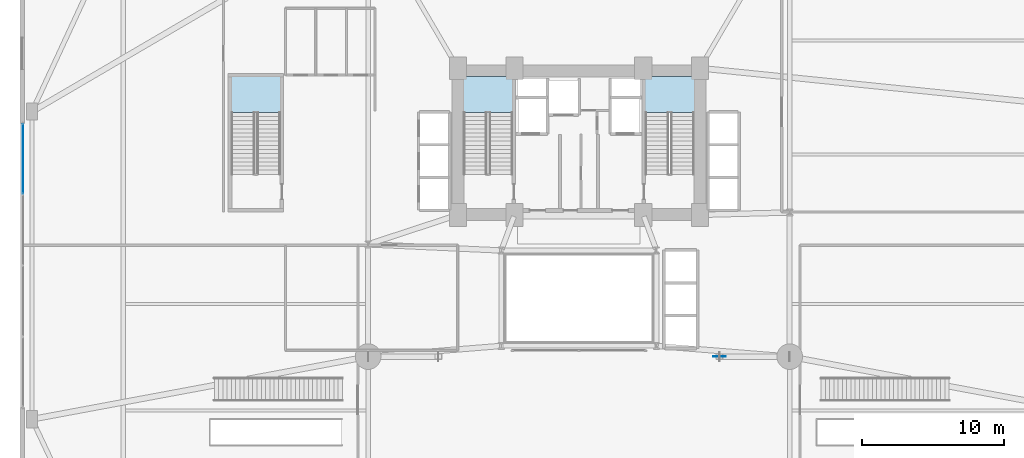
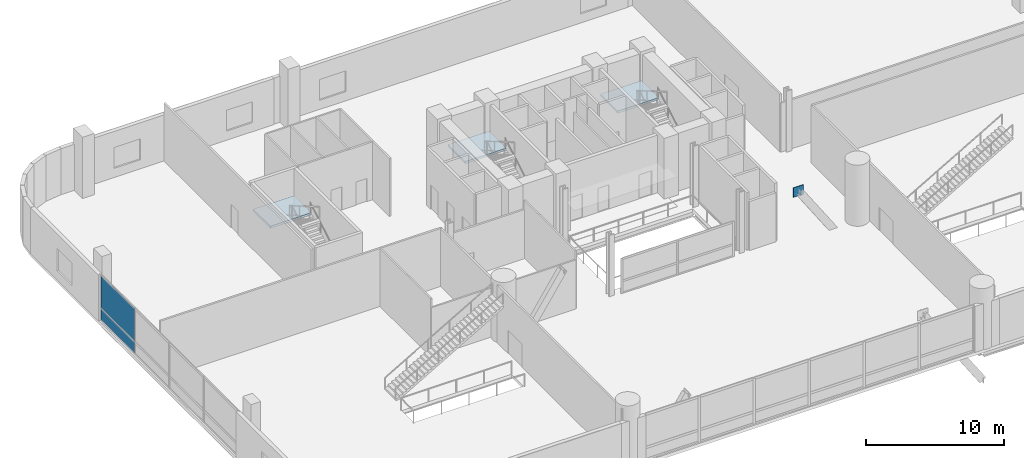
# One storey, part 27 of 40: 3 plates, 3 slabs, 4 elements without a shape of their own.
"""IFC4 building model written with IfcOpenShell, lengths in metres."""

import ifcopenshell
import ifcopenshell.guid

model = None  # the IFC model being written
_history = None  # IfcOwnerHistory: only IFC2X3 demands one
_inside = {}  # id of a spatial element -> (the spatial element, [elements in it])
_under = {}  # id of a project, library or spatial element -> (it, [spatial elements below it])
_declared = {}  # id of a project -> (the project, [libraries it declares])
_typed = {}  # id of a type object -> (the type object, [elements of that type])
_made_of = {}  # id of a material, layer set ... -> (it, [elements and type objects made of it])


def new_model(schema):
    """Start an empty IFC model of exactly this schema.

    Asked for "IFC4X3", IfcOpenShell would pick the latest addendum, in which some entities
    have other attributes; the version numbers below select the first issue.
    IFC2X3 requires an IfcOwnerHistory on every rooted entity: one is made here for all.
    """
    global model, _history
    if schema == "IFC4X3":
        model = ifcopenshell.file(schema_version=(4, 3, 0, 0))
    else:
        model = ifcopenshell.file(schema=schema)
    _inside.clear()
    _under.clear()
    _declared.clear()
    _typed.clear()
    _made_of.clear()
    _history = None
    if model.schema == "IFC2X3":
        org = make("IfcOrganization", Name="unknown")
        user = make(
            "IfcPersonAndOrganization",
            ThePerson=make("IfcPerson", FamilyName="unknown"),
            TheOrganization=org,
        )
        app = make(
            "IfcApplication",
            ApplicationDeveloper=org,
            Version="unknown",
            ApplicationFullName="unknown",
            ApplicationIdentifier="unknown",
        )
        _history = make(
            "IfcOwnerHistory",
            OwningUser=user,
            OwningApplication=app,
            ChangeAction="ADDED",
            CreationDate=0,
        )
    return model


def make(cls, **values):
    """One entity of the class cls with the attributes given. An attribute that is None is left unset."""
    return model.create_entity(
        cls, **{name: value for name, value in values.items() if value is not None}
    )


def rooted(cls, **values):
    """An entity with a GlobalId (a new one), such as an element, a storey or a relation."""
    return make(cls, GlobalId=ifcopenshell.guid.new(), OwnerHistory=_history, **values)


def si_unit(unit_type, name, prefix=None):
    """IfcSIUnit, for example si_unit("LENGTHUNIT", "METRE", prefix="MILLI")."""
    return make("IfcSIUnit", UnitType=unit_type, Prefix=prefix, Name=name)


def assignment(units):
    """IfcUnitAssignment: the units of a project."""
    return None if units is None else make("IfcUnitAssignment", Units=units)


def point(xyz):
    """IfcCartesianPoint."""
    return None if xyz is None else make("IfcCartesianPoint", Coordinates=xyz)


def direction(xyz):
    """IfcDirection."""
    return None if xyz is None else make("IfcDirection", DirectionRatios=xyz)


def frame(location, z_axis=None, x_axis=None):
    """IfcAxis2Placement3D, a coordinate frame: its origin and axes. An axis left out is left unset."""
    return make(
        "IfcAxis2Placement3D",
        Location=point(location),
        Axis=direction(z_axis),
        RefDirection=direction(x_axis),
    )


def frame_2d(location, x_axis=None):
    """IfcAxis2Placement2D, a coordinate frame in the plane: its origin and x axis."""
    return make(
        "IfcAxis2Placement2D", Location=point(location), RefDirection=direction(x_axis)
    )


def origin():
    """The frame at (0, 0, 0) with its axes left unset."""
    return frame((0.0, 0.0, 0.0))


def origin_2d():
    """The frame at (0, 0) in the plane with its x axis left unset."""
    return frame_2d((0.0, 0.0))


def place(relative_to, where):
    """IfcLocalPlacement: puts the frame where relative to a parent placement (None: the world)."""
    return make(
        "IfcLocalPlacement", PlacementRelTo=relative_to, RelativePlacement=where
    )


def context(
    kind, dimensions, precision=None, world=None, true_north=None, identifier=None
):
    """IfcGeometricRepresentationContext, for example the 3D "Model" context."""
    return make(
        "IfcGeometricRepresentationContext",
        ContextIdentifier=identifier,
        ContextType=kind,
        CoordinateSpaceDimension=dimensions,
        Precision=precision,
        WorldCoordinateSystem=world,
        TrueNorth=true_north,
    )


def subcontext(parent, identifier, kind, view, scale=None):
    """IfcGeometricRepresentationSubContext, for example "Body" below "Model"."""
    return make(
        "IfcGeometricRepresentationSubContext",
        ContextIdentifier=identifier,
        ContextType=kind,
        ParentContext=parent,
        TargetScale=scale,
        TargetView=view,
    )


def project(units=None, contexts=None):
    """IfcProject with its units and contexts."""
    return rooted(
        "IfcProject",
        Name="project",
        RepresentationContexts=contexts,
        UnitsInContext=assignment(units),
    )


def spatial(cls, under=None, at=None, **own):
    """A site, building, storey or space (cls), placed at a placement, below another one or the project."""
    s = rooted(cls, ObjectPlacement=at, **own)
    if under is not None:
        _under.setdefault(under.id(), (under, []))[1].append(s)
    return s


def polyline(points):
    """IfcPolyline through the points."""
    return make("IfcPolyline", Points=[point(p) for p in points])


def profile(cls, at=None, kind="AREA", **sizes):
    """A parametric profile (cls). Its sizes go by their IFC names, for example OverallWidth=200.0."""
    return make(cls, ProfileType=kind, Position=at, **sizes)


def rectangle(**sizes):
    """IfcRectangleProfileDef."""
    return profile("IfcRectangleProfileDef", **sizes)


def outline(outer, holes=None, kind="AREA"):
    """IfcArbitraryClosedProfileDef: a profile drawn as a closed curve; with holes, ...WithVoids."""
    if holes is None:
        return make("IfcArbitraryClosedProfileDef", ProfileType=kind, OuterCurve=outer)
    return make(
        "IfcArbitraryProfileDefWithVoids",
        ProfileType=kind,
        OuterCurve=outer,
        InnerCurves=holes,
    )


def extrude(swept, where, along, depth):
    """IfcExtrudedAreaSolid: the profile swept, set in the frame where, extruded along a direction by depth."""
    return make(
        "IfcExtrudedAreaSolid",
        SweptArea=swept,
        Position=where,
        ExtrudedDirection=direction(along),
        Depth=depth,
    )


def shape(context_of_items, identifier, shape_type, items):
    """IfcShapeRepresentation: the items that make up one representation, for example the "Body"."""
    return make(
        "IfcShapeRepresentation",
        ContextOfItems=context_of_items,
        RepresentationIdentifier=identifier,
        RepresentationType=shape_type,
        Items=items,
    )


def source(mapping_origin, context_of_items, identifier, shape_type, items):
    """IfcRepresentationMap: a shape defined once, which mapped items show again and again."""
    return make(
        "IfcRepresentationMap",
        MappingOrigin=mapping_origin,
        MappedRepresentation=shape(context_of_items, identifier, shape_type, items),
    )


def transform(
    local_origin,
    x_axis=None,
    y_axis=None,
    z_axis=None,
    scale=None,
    scale2=None,
    scale3=None,
    uniform=True,
):
    """IfcCartesianTransformationOperator3D, or its non-uniform kind. x_axis, y_axis, z_axis: its Axis1, 2, 3."""
    if uniform:
        return make(
            "IfcCartesianTransformationOperator3D",
            Axis1=direction(x_axis),
            Axis2=direction(y_axis),
            LocalOrigin=point(local_origin),
            Scale=scale,
            Axis3=direction(z_axis),
        )
    return make(
        "IfcCartesianTransformationOperator3DnonUniform",
        Axis1=direction(x_axis),
        Axis2=direction(y_axis),
        LocalOrigin=point(local_origin),
        Scale=scale,
        Axis3=direction(z_axis),
        Scale2=scale2,
        Scale3=scale3,
    )


def mapped(mapping_source, mapping_target):
    """IfcMappedItem: shows the shape of a source again, moved by a transform."""
    return make(
        "IfcMappedItem", MappingSource=mapping_source, MappingTarget=mapping_target
    )


def material(Name=None, Category=None):
    """IfcMaterial."""
    return make("IfcMaterial", Name=Name, Category=Category)


def layer(
    of_material, thickness, ventilated=None, Name=None, Category=None, Priority=None
):
    """IfcMaterialLayer: one layer of a wall or slab, of a material (None: an air gap)."""
    return make(
        "IfcMaterialLayer",
        Material=of_material,
        LayerThickness=thickness,
        IsVentilated=ventilated,
        Name=Name,
        Category=Category,
        Priority=Priority,
    )


def layer_set(layers, Name=None):
    """IfcMaterialLayerSet."""
    return make("IfcMaterialLayerSet", MaterialLayers=layers, LayerSetName=Name)


def made_of(thing, what):
    """Note that an element or type object is made of a material, layer set ...; save() writes the relation."""
    if what is not None:
        _made_of.setdefault(what.id(), (what, []))[1].append(thing)
    return thing


def type_object(cls, material=None, **own):
    """A type object (cls), such as IfcWallType, which elements share."""
    return made_of(rooted(cls, **own), material)


def element(
    cls,
    number,
    at=None,
    inside=None,
    cuts=None,
    type_object=None,
    material=None,
    context=None,
    identifier="Body",
    shape_type=None,
    held_by="IfcProductDefinitionShape",
    body=None,
    shapes=None,
    **own,
):
    """One element of the class cls, such as IfcWall. Its Tag is "e" and its number.

    at: its placement. inside: the storey or other place that contains it. cuts: it is an
    opening in that element (IfcRelVoidsElement). A single representation is given by context,
    identifier, shape_type and body (its items); several are given by shapes. held_by: the class
    of the entity that holds the representations. save() writes the other relations.
    """
    e = rooted(cls, Tag="e%d" % number, ObjectPlacement=at, **own)
    if body is not None:
        shapes = [shape(context, identifier, shape_type, body)]
    if shapes is not None:
        e.Representation = make(held_by, Representations=shapes)
    if inside is not None:
        _inside.setdefault(inside.id(), (inside, []))[1].append(e)
    if cuts is not None:
        rooted(
            "IfcRelVoidsElement", RelatingBuildingElement=cuts, RelatedOpeningElement=e
        )
    if type_object is not None:
        _typed.setdefault(type_object.id(), (type_object, []))[1].append(e)
    return made_of(e, material)


def aggregate(whole, parts):
    """IfcRelAggregates: a whole, such as a stair, and the parts it consists of."""
    return rooted("IfcRelAggregates", RelatingObject=whole, RelatedObjects=parts)


def save(model, path):
    """Write the relations noted so far, then the file.

    IfcRelAggregates (storeys below a building ...), IfcRelContainedInSpatialStructure (elements
    in a storey), IfcRelDefinesByType, IfcRelAssociatesMaterial and IfcRelDeclares: one each for
    every whole, place, type object, material and project.
    """
    for whole, parts in _under.values():
        aggregate(whole, parts)
    for where, things in _inside.values():
        rooted(
            "IfcRelContainedInSpatialStructure",
            RelatedElements=things,
            RelatingStructure=where,
        )
    for kind, things in _typed.values():
        rooted("IfcRelDefinesByType", RelatedObjects=things, RelatingType=kind)
    for what, things in _made_of.values():
        rooted("IfcRelAssociatesMaterial", RelatedObjects=things, RelatingMaterial=what)
    for by, libraries in _declared.values():
        rooted("IfcRelDeclares", RelatingContext=by, RelatedDefinitions=libraries)
    model.write(path)


model = new_model("IFC4")

# Units and contexts
model_context = context("Model", 3, precision=1e-05, world=origin(), true_north=direction((0.0, 1.0)))
body_context = subcontext(model_context, "Body", "Model", "MODEL_VIEW")
ifc_project = project(units=[si_unit("LENGTHUNIT", "METRE"), si_unit("AREAUNIT", "SQUARE_METRE"), si_unit("VOLUMEUNIT", "CUBIC_METRE"), si_unit("PLANEANGLEUNIT", "RADIAN"), si_unit("MASSUNIT", "GRAM", prefix="KILO")], contexts=[model_context])

# Site, building, storey
site_placement = place(None, origin())
site = spatial("IfcSite", under=ifc_project, at=site_placement, CompositionType="ELEMENT")
building_placement = place(site_placement, origin())
building = spatial("IfcBuilding", under=site, at=building_placement, Name="Varnelok Gate Tower", CompositionType="ELEMENT")
storey_placement = place(building_placement, frame((0.0, 0.0, 5.39990234375)))
storey = spatial("IfcBuildingStorey", under=building, at=storey_placement, Name="L01", CompositionType="ELEMENT", Elevation=5.39990234375)

# Stair, slab
ifc_material_1 = material(Name="Concrete C50/60", Category="concrete")
stair_type = type_object("IfcStairType", Name="STR-CORE-1650", PredefinedType="HALF_TURN_STAIR", material=ifc_material_1)
stair_1_placement = place(storey_placement, origin())
stair_1 = element("IfcStair", 1, at=stair_1_placement, inside=storey, type_object=stair_type, Name="L01 Exit Stair ST-1", PredefinedType="HALF_TURN_STAIR")
ifc_material_2 = material(Name="Concrete C45/55", Category="concrete")
ifc_layer_1 = layer(ifc_material_2, 0.199951171875)
ifc_layer_set_1 = layer_set([ifc_layer_1], Name="Concrete C45/55")
slab_type = type_object("IfcSlabType", Name="SLB-LAND-200", PredefinedType="LANDING", material=ifc_layer_set_1)
slab_1_placement = place(storey_placement, frame((0.0, 0.0, 2.5)))
slab_1 = element("IfcSlab", 2, at=slab_1_placement, type_object=slab_type, Name="ST-1 landing 1", PredefinedType="LANDING", context=body_context, shape_type="SweptSolid", body=[
    extrude(outline(polyline([(34.550048828125, 35.949951171875), (34.550048828125, 38.449951171875), (31.10009765625, 38.449951171875), (31.10009765625, 35.949951171875), (34.550048828125, 35.949951171875)])), origin(), (0.0, 0.0, 1.0), 0.2001953125),
])
aggregate(stair_1, [slab_1])

stair_2_placement = place(storey_placement, origin())
stair_2 = element("IfcStair", 3, at=stair_2_placement, inside=storey, type_object=stair_type, Name="L01 Exit Stair ST-2", PredefinedType="HALF_TURN_STAIR")
slab_2_placement = place(storey_placement, frame((0.0, 0.0, 2.5)))
slab_2 = element("IfcSlab", 4, at=slab_2_placement, type_object=slab_type, Name="ST-2 landing 1", PredefinedType="LANDING", context=body_context, shape_type="SweptSolid", body=[
    extrude(outline(polyline([(47.300048828125, 35.949951171875), (47.300048828125, 38.449951171875), (43.85009765625, 38.449951171875), (43.85009765625, 35.949951171875), (47.300048828125, 35.949951171875)])), origin(), (0.0, 0.0, 1.0), 0.2001953125),
])
aggregate(stair_2, [slab_2])

stair_3_placement = place(storey_placement, origin())
stair_3 = element("IfcStair", 5, at=stair_3_placement, inside=storey, type_object=stair_type, Name="L01 Podium Exit Stair ST-3", PredefinedType="HALF_TURN_STAIR")
slab_3_placement = place(storey_placement, frame((0.0, 0.0, 2.5)))
slab_3 = element("IfcSlab", 6, at=slab_3_placement, type_object=slab_type, Name="ST-3 landing 1", PredefinedType="LANDING", context=body_context, shape_type="SweptSolid", body=[
    extrude(outline(polyline([(18.25, 35.949951171875), (18.25, 38.449951171875), (14.800048828125, 38.449951171875), (14.800048828125, 35.949951171875), (18.25, 35.949951171875)])), origin(), (0.0, 0.0, 1.0), 0.2001953125),
])
aggregate(stair_3, [slab_3])

# Plate
ifc_material_3 = material(Name="Structural Steel ASTM A572 Grade 50", Category="steel")
ifc_layer_2 = layer(ifc_material_3, 0.0400390625)
ifc_layer_set_2 = layer_set([ifc_layer_2], Name="Structural Steel ASTM A572 Grade 50")
plate_type_1 = type_object("IfcPlateType", Name="PLT-GUSSET-40", PredefinedType="USERDEFINED", material=ifc_layer_set_2)
shared_shape_1 = source(origin(), body_context, "Body", "SweptSolid", [
    extrude(rectangle(XDim=0.85009765625, YDim=0.0400390625, at=origin_2d()), origin(), (0.0, 0.0, 1.0), 0.85009765625),
])
plate_1_placement = place(storey_placement, frame((49.066650390625, 18.800048828125, 3.808349609375), z_axis=(0.0, 0.0, 1.0), x_axis=(1.0, 0.0, 0.0)))
element("IfcPlate", 7, at=plate_1_placement, inside=storey, type_object=plate_type_1, Name="Giant Arch Node Gusset Plate AN-5", ObjectType="GUSSET PLATE", PredefinedType="USERDEFINED", context=body_context, shape_type="MappedRepresentation", body=[
    mapped(shared_shape_1, transform((0.0, 0.0, 0.0), scale=1.0)),
])

# Curtain wall, plates
ifc_material_4 = material(Name="Anodized Aluminum Alloy 6063-T6", Category="aluminium")
ifc_layer_3 = layer(ifc_material_4, 0.179931640625)
ifc_layer_set_3 = layer_set([ifc_layer_3], Name="Anodized Aluminum Alloy 6063-T6")
curtain_wall_type = type_object("IfcCurtainWallType", Name="CW1-ARCH-PORTAL", PredefinedType="USERDEFINED", material=ifc_layer_set_3)
curtain_wall_placement = place(storey_placement, origin())
curtain_wall = element("IfcCurtainWall", 8, at=curtain_wall_placement, inside=storey, type_object=curtain_wall_type, Name="L01 Podium Portal Curtain Wall W", ObjectType="UNITISED CURTAIN WALL", PredefinedType="USERDEFINED")
ifc_material_5 = material(Name="Low-E Laminated Double Glazing IGU", Category="glass")
ifc_layer_4 = layer(ifc_material_5, 0.028076171875)
ifc_layer_set_4 = layer_set([ifc_layer_4], Name="Low-E Laminated Double Glazing IGU")
plate_type_2 = type_object("IfcPlateType", Name="CW-PNL-IGU28", PredefinedType="CURTAIN_PANEL", material=ifc_layer_set_4)
shared_shape_2 = source(origin(), body_context, "Body", "SweptSolid", [
    extrude(rectangle(XDim=4.887451171875, YDim=0.028076171875, at=origin_2d()), origin(), (0.0, 0.0, 1.0), 0.987548828125),
])
plate_2_placement = place(storey_placement, frame((0.159912109375, 32.68115234375, 0.0751953125), z_axis=(0.0, 0.0, 1.0), x_axis=(0.0, 1.0, 0.0)))
plate_2 = element("IfcPlate", 9, at=plate_2_placement, type_object=plate_type_2, Name="CW1 panel 4.1", PredefinedType="CURTAIN_PANEL", context=body_context, shape_type="MappedRepresentation", body=[
    mapped(shared_shape_2, transform((0.0, 0.0, 0.0), scale=1.0)),
])
shared_shape_3 = source(origin(), body_context, "Body", "SweptSolid", [
    extrude(rectangle(XDim=4.887451171875, YDim=0.028076171875, at=origin_2d()), origin(), (0.0, 0.0, 1.0), 2.857421875),
])
plate_3_placement = place(storey_placement, frame((0.159912109375, 32.68115234375, 1.1376953125), z_axis=(0.0, 0.0, 1.0), x_axis=(0.0, 1.0, 0.0)))
plate_3 = element("IfcPlate", 10, at=plate_3_placement, type_object=plate_type_2, Name="CW1 panel 4.2", PredefinedType="CURTAIN_PANEL", context=body_context, shape_type="MappedRepresentation", body=[
    mapped(shared_shape_3, transform((0.0, 0.0, 0.0), scale=1.0)),
])
aggregate(curtain_wall, [plate_2, plate_3])

save(model, "model.ifc")
